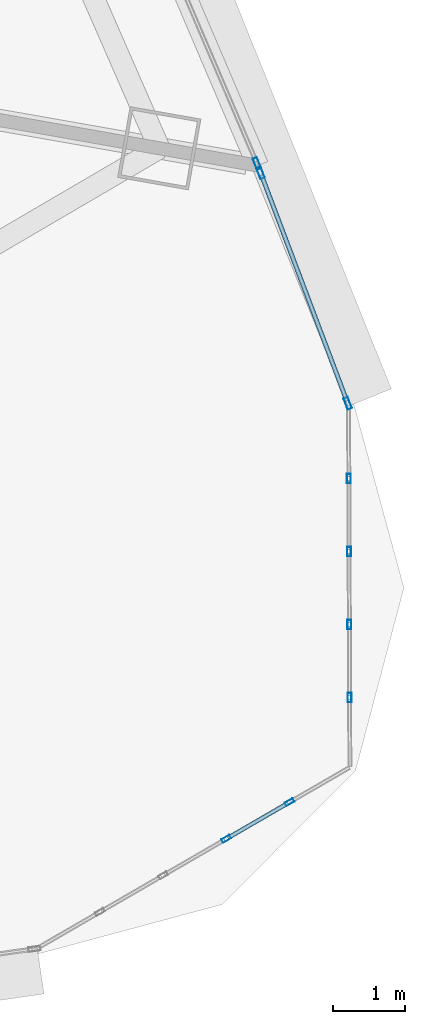
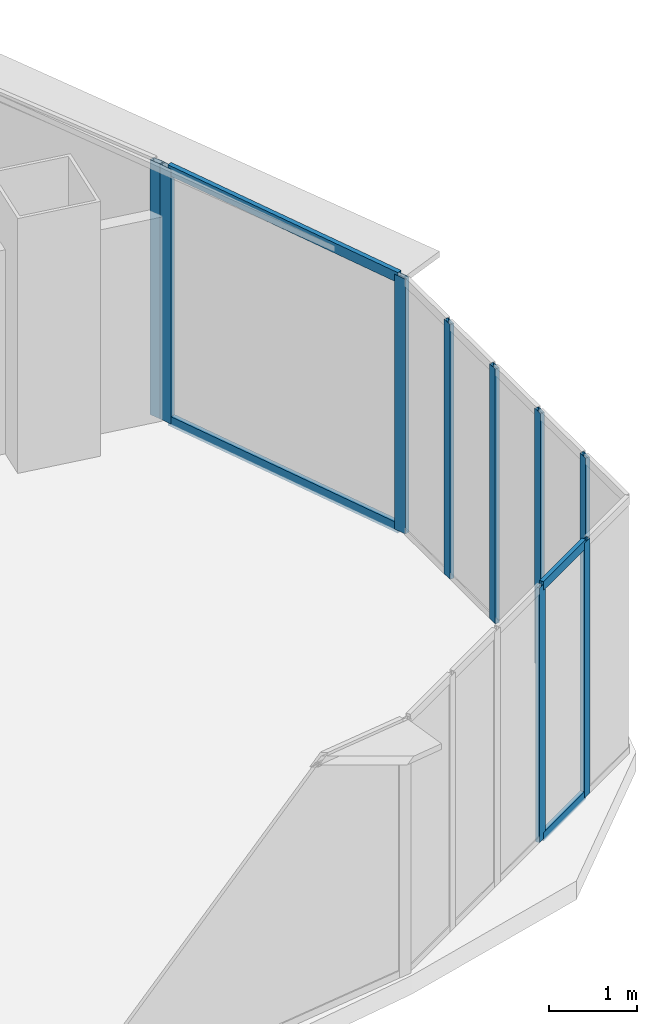
# One storey, part 24 of 41: 13 members, 4 elements without a shape of their own.
"""IFC4 building model written with IfcOpenShell, lengths in metres."""

from ifc_helpers import new_model, si_unit, direction, frame, origin, origin_2d, place, context, subcontext, project, spatial, hollow_rectangle, extrude, source, transform, mapped, material, layer, layer_set, material_profile, profile_set, type_object, element, aggregate, save


model = new_model("IFC4")

# Units and contexts
model_context = context("Model", 3, precision=1e-05, world=origin(), true_north=direction((0.0, 1.0)))
body_context = subcontext(model_context, "Body", "Model", "MODEL_VIEW")
ifc_project = project(units=[si_unit("LENGTHUNIT", "METRE"), si_unit("AREAUNIT", "SQUARE_METRE"), si_unit("VOLUMEUNIT", "CUBIC_METRE"), si_unit("PLANEANGLEUNIT", "RADIAN"), si_unit("MASSUNIT", "GRAM", prefix="KILO"), si_unit("THERMODYNAMICTEMPERATUREUNIT", "KELVIN"), si_unit("POWERUNIT", "WATT")], contexts=[model_context])

# Site, building, storey
site_placement = place(None, origin())
site = spatial("IfcSite", under=ifc_project, at=site_placement, CompositionType="ELEMENT")
building_placement = place(site_placement, origin())
building = spatial("IfcBuilding", under=site, at=building_placement, Name="Yunzhuo Pagoda Commons", CompositionType="ELEMENT")
storey_placement = place(building_placement, frame((0.0, 0.0, 115.3798828125)))
storey = spatial("IfcBuildingStorey", under=building, at=storey_placement, Name="L29", CompositionType="ELEMENT", Elevation=115.3798828125)

# Curtain wall, members
ifc_material = material(Name="Anodized aluminium 6063-T6", Category="aluminium")
ifc_layer_1 = layer(ifc_material, 0.1650390625)
ifc_layer_set_1 = layer_set([ifc_layer_1], Name="Anodized aluminium 6063-T6")
curtain_wall_type_1 = type_object("IfcCurtainWallType", Name="CW-LOW Low-Zone Ribbon Curtain Wall", PredefinedType="NOTDEFINED", material=ifc_layer_set_1)
curtain_wall_1_placement = place(storey_placement, origin())
curtain_wall_1 = element("IfcCurtainWall", 1, at=curtain_wall_1_placement, inside=storey, type_object=curtain_wall_type_1, Name="L29 curtain wall CW-L29-F2B1", PredefinedType="NOTDEFINED")
ifc_material_profile_1 = material_profile(ifc_material, hollow_rectangle(XDim=0.06005859375, YDim=0.139892578125, WallThickness=0.00341796875, at=origin_2d()), Name="Anodized aluminium 6063-T6")
ifc_profile_set_1 = profile_set([ifc_material_profile_1], Name="Anodized aluminium 6063-T6")
member_type_1 = type_object("IfcMemberType", Name="CW-LOW-T Transom RHS 140x60x3.5", PredefinedType="USERDEFINED", material=ifc_profile_set_1)
shared_shape_1 = source(origin(), body_context, "Body", "SweptSolid", [
    extrude(hollow_rectangle(XDim=0.06005859375, YDim=0.139892578125, WallThickness=0.00341796875, at=origin_2d()), origin(), (0.0, 0.0, 1.0), 3.3642578125),
])
member_1_placement = place(storey_placement, frame((88.96484375, 23.417236328125, 0.030029296875), z_axis=(-0.353555799884, 0.935413436064, 0.0), x_axis=(-0.935413436064, -0.353555799884, 0.0)))
member_1 = element("IfcMember", 2, at=member_1_placement, type_object=member_type_1, Name="CW transom 1.1", ObjectType="TRANSOM", PredefinedType="USERDEFINED", context=body_context, shape_type="MappedRepresentation", body=[
    mapped(shared_shape_1, transform((0.0, 0.0, 0.0), scale=1.0)),
])
member_2_placement = place(storey_placement, frame((88.96484375, 23.417236328125, 3.490234375), z_axis=(-0.353555799884, 0.935413436064, 0.0), x_axis=(-0.935413436064, -0.353555799884, 0.0)))
member_2 = element("IfcMember", 3, at=member_2_placement, type_object=member_type_1, Name="CW transom 1.2", ObjectType="TRANSOM", PredefinedType="USERDEFINED", context=body_context, shape_type="MappedRepresentation", body=[
    mapped(shared_shape_1, transform((0.0, 0.0, 0.0), scale=1.0)),
])

ifc_layer_2 = layer(ifc_material, 0.1298828125)
ifc_layer_set_2 = layer_set([ifc_layer_2], Name="Anodized aluminium 6063-T6")
curtain_wall_type_2 = type_object("IfcCurtainWallType", Name="CW-VTX Rounded Corner Curtain Wall", PredefinedType="NOTDEFINED", material=ifc_layer_set_2)
curtain_wall_2_placement = place(storey_placement, origin())
curtain_wall_2 = element("IfcCurtainWall", 4, at=curtain_wall_2_placement, inside=storey, type_object=curtain_wall_type_2, Name="L29 curtain wall CW-L29-VTX2S1", PredefinedType="NOTDEFINED")
ifc_material_profile_2 = material_profile(ifc_material, hollow_rectangle(XDim=0.054931640625, YDim=0.1201171875, WallThickness=0.00341796875, at=origin_2d()), Name="Anodized aluminium 6063-T6")
ifc_profile_set_2 = profile_set([ifc_material_profile_2], Name="Anodized aluminium 6063-T6")
member_type_2 = type_object("IfcMemberType", Name="CW-VTX-T Transom RHS 120x55x3.5", PredefinedType="USERDEFINED", material=ifc_profile_set_2)
shared_shape_2 = source(origin(), body_context, "Body", "SweptSolid", [
    extrude(hollow_rectangle(XDim=0.054931640625, YDim=0.1201171875, WallThickness=0.00341796875, at=origin_2d()), origin(), (0.0, 0.0, 1.0), 0.961669921875),
])
member_3_placement = place(storey_placement, frame((87.31005859375, 17.336669921875, 0.027587890625), z_axis=(0.865211833193, 0.501406505445, 0.0), x_axis=(-0.501406505445, 0.865211833193, 0.0)))
member_3 = element("IfcMember", 5, at=member_3_placement, type_object=member_type_2, Name="CW transom 4.1", ObjectType="TRANSOM", PredefinedType="USERDEFINED", context=body_context, shape_type="MappedRepresentation", body=[
    mapped(shared_shape_2, transform((0.0, 0.0, 0.0), scale=1.0)),
])
member_4_placement = place(storey_placement, frame((87.31005859375, 17.336669921875, 3.49267578125), z_axis=(0.865211833193, 0.501406505445, 0.0), x_axis=(-0.501406505445, 0.865211833193, 0.0)))
member_4 = element("IfcMember", 6, at=member_4_placement, type_object=member_type_2, Name="CW transom 4.2", ObjectType="TRANSOM", PredefinedType="USERDEFINED", context=body_context, shape_type="MappedRepresentation", body=[
    mapped(shared_shape_2, transform((0.0, 0.0, 0.0), scale=1.0)),
])

# Curtain wall, member
curtain_wall_3_placement = place(storey_placement, origin())
curtain_wall_3 = element("IfcCurtainWall", 7, at=curtain_wall_3_placement, inside=storey, type_object=curtain_wall_type_1, Name="L29 curtain wall CW-L29-F2B2", PredefinedType="NOTDEFINED")
ifc_material_profile_3 = material_profile(ifc_material, hollow_rectangle(XDim=0.06494140625, YDim=0.1650390625, WallThickness=0.00390625, at=origin_2d()), Name="Anodized aluminium 6063-T6")
ifc_profile_set_3 = profile_set([ifc_material_profile_3], Name="Anodized aluminium 6063-T6")
member_type_3 = type_object("IfcMemberType", Name="CW-LOW-M Mullion RHS 165x65x4", PredefinedType="MULLION", material=ifc_profile_set_3)
shared_shape_3 = source(origin(), body_context, "Body", "SweptSolid", [
    extrude(hollow_rectangle(XDim=0.06494140625, YDim=0.1650390625, WallThickness=0.00390625, at=origin_2d()), origin(), (0.0, 0.0, 1.0), 3.52001953125),
])
member_5_placement = place(storey_placement, frame((87.712890625, 26.72509765625, 0.0), z_axis=(0.0, 0.0, 1.0), x_axis=(-0.919648900825, -0.392741517046, 0.0)))
member_5 = element("IfcMember", 8, at=member_5_placement, type_object=member_type_3, Name="CW mullion 1", PredefinedType="MULLION", context=body_context, shape_type="MappedRepresentation", body=[
    mapped(shared_shape_3, transform((0.0, 0.0, 0.0), scale=1.0)),
])
aggregate(curtain_wall_3, [member_5])

# Member
member_6_placement = place(storey_placement, frame((88.976318359375, 23.386962890625, 0.0), z_axis=(0.0, 0.0, 1.0), x_axis=(-0.935396805779, -0.353599796011, 0.0)))
member_6 = element("IfcMember", 9, at=member_6_placement, type_object=member_type_3, Name="CW mullion 1", PredefinedType="MULLION", context=body_context, shape_type="MappedRepresentation", body=[
    mapped(shared_shape_3, transform((0.0, 0.0, 0.0), scale=1.0)),
])

member_7_placement = place(storey_placement, frame((87.763671875, 26.5947265625, 0.0), z_axis=(0.0, 0.0, 1.0), x_axis=(-0.935396805779, -0.353599796011, 0.0)))
member_7 = element("IfcMember", 10, at=member_7_placement, type_object=member_type_3, Name="CW mullion 2", PredefinedType="MULLION", context=body_context, shape_type="MappedRepresentation", body=[
    mapped(shared_shape_3, transform((0.0, 0.0, 0.0), scale=1.0)),
])

aggregate(curtain_wall_1, [member_6, member_7, member_1, member_2])

ifc_material_profile_4 = material_profile(ifc_material, hollow_rectangle(XDim=0.054931640625, YDim=0.1298828125, WallThickness=0.00341796875, at=origin_2d()), Name="Anodized aluminium 6063-T6")
ifc_profile_set_4 = profile_set([ifc_material_profile_4], Name="Anodized aluminium 6063-T6")
member_type_4 = type_object("IfcMemberType", Name="CW-VTX-M Mullion RHS 130x55x3.5", PredefinedType="MULLION", material=ifc_profile_set_4)
shared_shape_4 = source(origin(), body_context, "Body", "SweptSolid", [
    extrude(hollow_rectangle(XDim=0.054931640625, YDim=0.1298828125, WallThickness=0.00341796875, at=origin_2d()), origin(), (0.0, 0.0, 1.0), 3.52001953125),
])
member_8_placement = place(storey_placement, frame((87.285888671875, 17.322998046875, 0.0), z_axis=(0.0, 0.0, 1.0), x_axis=(-0.501032393989, 0.865428529789, 0.0)))
member_8 = element("IfcMember", 11, at=member_8_placement, type_object=member_type_4, Name="CW mullion 4", PredefinedType="MULLION", context=body_context, shape_type="MappedRepresentation", body=[
    mapped(shared_shape_4, transform((0.0, 0.0, 0.0), scale=1.0)),
])

member_9_placement = place(storey_placement, frame((88.166015625, 17.832763671875, 0.0), z_axis=(0.0, 0.0, 1.0), x_axis=(-0.501032393989, 0.865428529789, 0.0)))
member_9 = element("IfcMember", 12, at=member_9_placement, type_object=member_type_4, Name="CW mullion 5", PredefinedType="MULLION", context=body_context, shape_type="MappedRepresentation", body=[
    mapped(shared_shape_4, transform((0.0, 0.0, 0.0), scale=1.0)),
])

aggregate(curtain_wall_2, [member_8, member_9, member_3, member_4])

# Curtain wall, members
curtain_wall_4_placement = place(storey_placement, origin())
curtain_wall_4 = element("IfcCurtainWall", 13, at=curtain_wall_4_placement, inside=storey, type_object=curtain_wall_type_2, Name="L29 curtain wall CW-L29-VTX2S2", PredefinedType="NOTDEFINED")
member_10_placement = place(storey_placement, frame((89.00244140625, 19.289306640625, 0.0), z_axis=(0.0, 0.0, 1.0), x_axis=(-0.999993522017, -0.003599433805, 0.0)))
member_10 = element("IfcMember", 14, at=member_10_placement, type_object=member_type_4, Name="CW mullion 2", PredefinedType="MULLION", context=body_context, shape_type="MappedRepresentation", body=[
    mapped(shared_shape_4, transform((0.0, 0.0, 0.0), scale=1.0)),
])
member_11_placement = place(storey_placement, frame((88.998779296875, 20.30615234375, 0.0), z_axis=(0.0, 0.0, 1.0), x_axis=(-0.999993522017, -0.003599433805, 0.0)))
member_11 = element("IfcMember", 15, at=member_11_placement, type_object=member_type_4, Name="CW mullion 3", PredefinedType="MULLION", context=body_context, shape_type="MappedRepresentation", body=[
    mapped(shared_shape_4, transform((0.0, 0.0, 0.0), scale=1.0)),
])
member_12_placement = place(storey_placement, frame((88.9951171875, 21.32275390625, 0.0), z_axis=(0.0, 0.0, 1.0), x_axis=(-0.999993522017, -0.003599433805, 0.0)))
member_12 = element("IfcMember", 16, at=member_12_placement, type_object=member_type_4, Name="CW mullion 4", PredefinedType="MULLION", context=body_context, shape_type="MappedRepresentation", body=[
    mapped(shared_shape_4, transform((0.0, 0.0, 0.0), scale=1.0)),
])
member_13_placement = place(storey_placement, frame((88.991455078125, 22.339599609375, 0.0), z_axis=(0.0, 0.0, 1.0), x_axis=(-0.999993522017, -0.003599433805, 0.0)))
member_13 = element("IfcMember", 17, at=member_13_placement, type_object=member_type_4, Name="CW mullion 5", PredefinedType="MULLION", context=body_context, shape_type="MappedRepresentation", body=[
    mapped(shared_shape_4, transform((0.0, 0.0, 0.0), scale=1.0)),
])
aggregate(curtain_wall_4, [member_10, member_11, member_12, member_13])

save(model, "model.ifc")
